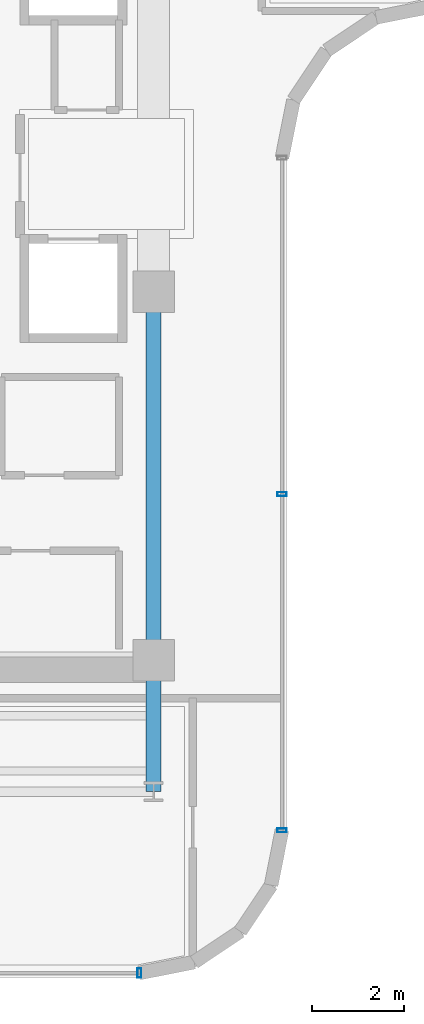
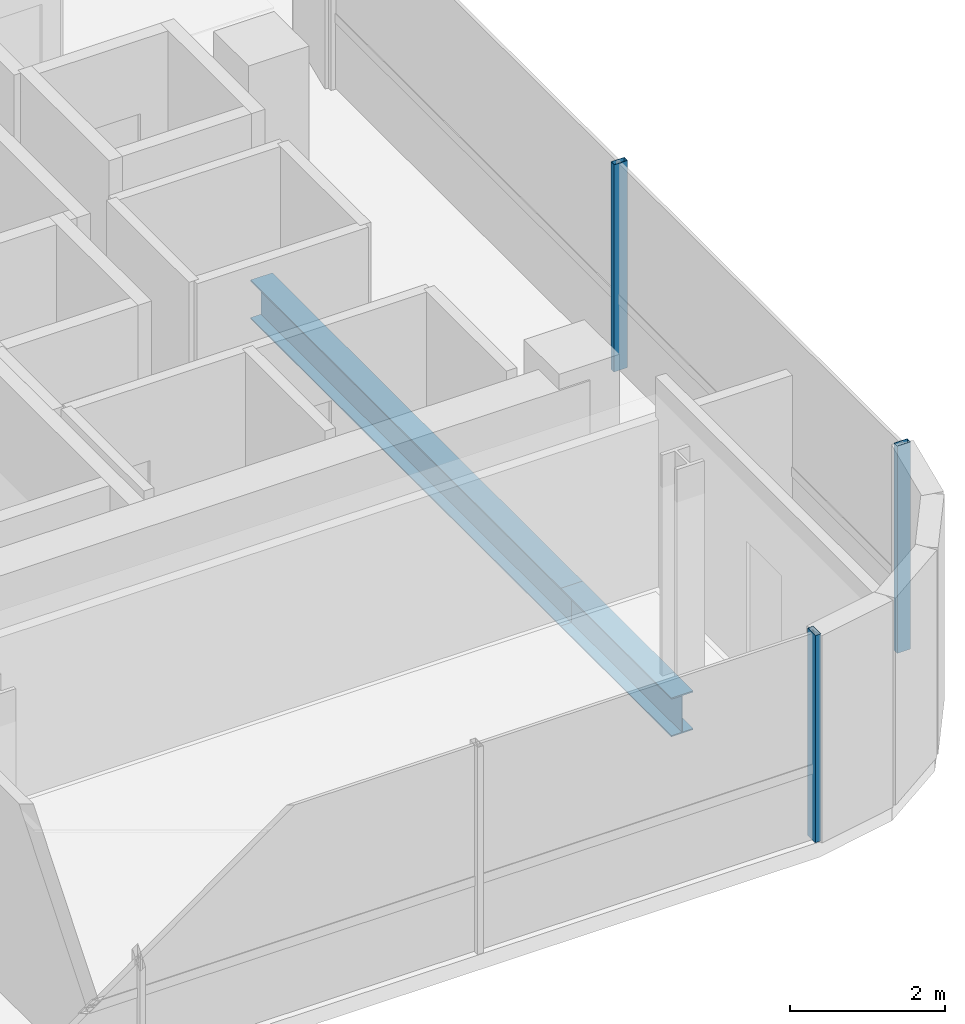
# One storey, part 6 of 21: 3 members, 2 beams, 2 elements without a shape of their own.
"""IFC4 building model written with IfcOpenShell, lengths in metres."""

from ifc_helpers import new_model, si_unit, direction, frame, origin, origin_2d, place, context, subcontext, project, spatial, hollow_rectangle, i_section, extrude, source, transform, mapped, material, material_profile, profile_set, type_object, element, aggregate, save


model = new_model("IFC4")

# Units and contexts
model_context = context("Model", 3, precision=1e-05, world=origin(), true_north=direction((0.0, 1.0)))
body_context = subcontext(model_context, "Body", "Model", "MODEL_VIEW")
ifc_project = project(units=[si_unit("LENGTHUNIT", "METRE"), si_unit("AREAUNIT", "SQUARE_METRE"), si_unit("VOLUMEUNIT", "CUBIC_METRE"), si_unit("PLANEANGLEUNIT", "RADIAN"), si_unit("MASSUNIT", "GRAM", prefix="KILO")], contexts=[model_context])

# Site, building, storey
site_placement = place(None, origin())
site = spatial("IfcSite", under=ifc_project, at=site_placement, CompositionType="ELEMENT")
building_placement = place(site_placement, origin())
building = spatial("IfcBuilding", under=site, at=building_placement, Name="Valdorenza Pilgrim Sanctuary Tower", CompositionType="ELEMENT")
storey_placement = place(building_placement, frame((0.0, 0.0, 223.0)))
storey = spatial("IfcBuildingStorey", under=building, at=storey_placement, Name="L57", CompositionType="ELEMENT", Elevation=223.0)

# Beams
ifc_material_1 = material(Name="Steel ASTM A992 Grade 50", Category="steel")
ifc_material_profile_1 = material_profile(ifc_material_1, i_section(OverallWidth=0.323974609375, OverallDepth=0.611083984375, WebThickness=0.0126953125, FlangeThickness=0.01904296875, at=origin_2d()), Name="W24X104")
ifc_profile_set_1 = profile_set([ifc_material_profile_1], Name="Steel ASTM A992 Grade 50")
beam_type = type_object("IfcBeamType", Name="STR-BM-GRD-W24B", PredefinedType="BEAM", material=ifc_profile_set_1)
shared_shape_1 = source(origin(), body_context, "Body", "SweptSolid", [
    extrude(i_section(OverallWidth=0.323974609375, OverallDepth=0.611083984375, WebThickness=0.0126953125, FlangeThickness=0.01904296875, at=origin_2d()), origin(), (0.0, 0.0, 1.0), 8.0),
])
beam_1_placement = place(storey_placement, frame((-12.39990234375, -10.60009765625, -0.54541015625), z_axis=(0.0, 1.0, 0.0), x_axis=(-1.0, 0.0, 0.0)))
element("IfcBeam", 1, at=beam_1_placement, inside=storey, type_object=beam_type, Name="L57 Core Tie Girder CA-E-S1M0", PredefinedType="BEAM", context=body_context, shape_type="MappedRepresentation", body=[
    mapped(shared_shape_1, transform((0.0, 0.0, 0.0), x_axis=(1.0, 0.0, 0.0), y_axis=(0.0, 1.0, 0.0), z_axis=(0.0, 0.0, 1.0), scale=1.0)),
])
shared_shape_2 = source(origin(), body_context, "Body", "SweptSolid", [
    extrude(i_section(OverallWidth=0.323974609375, OverallDepth=0.611083984375, WebThickness=0.0126953125, FlangeThickness=0.01904296875, at=origin_2d()), origin(), (0.0, 0.0, 1.0), 2.849853515625),
])
beam_2_placement = place(storey_placement, frame((-12.39990234375, -13.449951171875, -0.54541015625), z_axis=(0.0, 1.0, 0.0), x_axis=(-1.0, 0.0, 0.0)))
element("IfcBeam", 2, at=beam_2_placement, inside=storey, type_object=beam_type, Name="L57 Floor Girder WA-S-LE", PredefinedType="BEAM", context=body_context, shape_type="MappedRepresentation", body=[
    mapped(shared_shape_2, transform((0.0, 0.0, 0.0), x_axis=(1.0, 0.0, 0.0), y_axis=(0.0, 1.0, 0.0), z_axis=(0.0, 0.0, 1.0), scale=1.0)),
])

# Curtain wall, members
ifc_material_2 = material(Name="Curtain-wall IGU glazing", Category="glass")
curtain_wall_type = type_object("IfcCurtainWallType", Name="CW-SYS-02", PredefinedType="NOTDEFINED", material=ifc_material_2)
curtain_wall_1_placement = place(storey_placement, origin())
curtain_wall_1 = element("IfcCurtainWall", 3, at=curtain_wall_1_placement, inside=storey, type_object=curtain_wall_type, Name="L57 Curtain Wall CW-L57-1-21", PredefinedType="NOTDEFINED")
ifc_material_3 = material(Name="Anodised aluminium AW-6060", Category="aluminium")
ifc_material_profile_2 = material_profile(ifc_material_3, hollow_rectangle(XDim=0.0849609375, YDim=0.199951171875, WallThickness=0.0048828125, at=origin_2d()), Name="ALU-M 200x85x5")
ifc_profile_set_2 = profile_set([ifc_material_profile_2], Name="Anodised aluminium AW-6060")
member_type = type_object("IfcMemberType", Name="CW-MUL-02", PredefinedType="MULLION", material=ifc_profile_set_2)
shared_shape_3 = source(origin(), body_context, "Body", "SweptSolid", [
    extrude(hollow_rectangle(XDim=0.0849609375, YDim=0.199951171875, WallThickness=0.0048828125, at=origin_2d()), origin(), (0.0, 0.0, 1.0), 3.260009765625),
])
member_1_placement = place(storey_placement, frame((-9.610107421875, -6.9892578125, 0.0), z_axis=(0.0, 0.0, 1.0), x_axis=(0.0, -1.0, 0.0)))
member_1 = element("IfcMember", 4, at=member_1_placement, type_object=member_type, Name="CW-L57-1-21 Mullion 2", PredefinedType="MULLION", context=body_context, shape_type="MappedRepresentation", body=[
    mapped(shared_shape_3, transform((0.0, 0.0, 0.0), x_axis=(1.0, 0.0, 0.0), y_axis=(0.0, 1.0, 0.0), z_axis=(0.0, 0.0, 1.0), scale=1.0)),
])
member_2_placement = place(storey_placement, frame((-9.610107421875, -14.289306640625, 0.0), z_axis=(0.0, 0.0, 1.0), x_axis=(0.0, -1.0, 0.0)))
member_2 = element("IfcMember", 5, at=member_2_placement, type_object=member_type, Name="CW-L57-1-21 Mullion 3", PredefinedType="MULLION", context=body_context, shape_type="MappedRepresentation", body=[
    mapped(shared_shape_3, transform((0.0, 0.0, 0.0), x_axis=(1.0, 0.0, 0.0), y_axis=(0.0, 1.0, 0.0), z_axis=(0.0, 0.0, 1.0), scale=1.0)),
])
aggregate(curtain_wall_1, [member_1, member_2])

# Curtain wall, member
curtain_wall_2_placement = place(storey_placement, origin())
curtain_wall_2 = element("IfcCurtainWall", 6, at=curtain_wall_2_placement, inside=storey, type_object=curtain_wall_type, Name="L57 Curtain Wall CW-L57-1-26", PredefinedType="NOTDEFINED")
member_3_placement = place(storey_placement, frame((-12.710693359375, -17.389892578125, 0.0), z_axis=(0.0, 0.0, 1.0), x_axis=(-1.0, 0.0, 0.0)))
member_3 = element("IfcMember", 7, at=member_3_placement, type_object=member_type, Name="CW-L57-1-26 Mullion 1", PredefinedType="MULLION", context=body_context, shape_type="MappedRepresentation", body=[
    mapped(shared_shape_3, transform((0.0, 0.0, 0.0), x_axis=(1.0, 0.0, 0.0), y_axis=(0.0, 1.0, 0.0), z_axis=(0.0, 0.0, 1.0), scale=1.0)),
])
aggregate(curtain_wall_2, [member_3])

save(model, "model.ifc")
